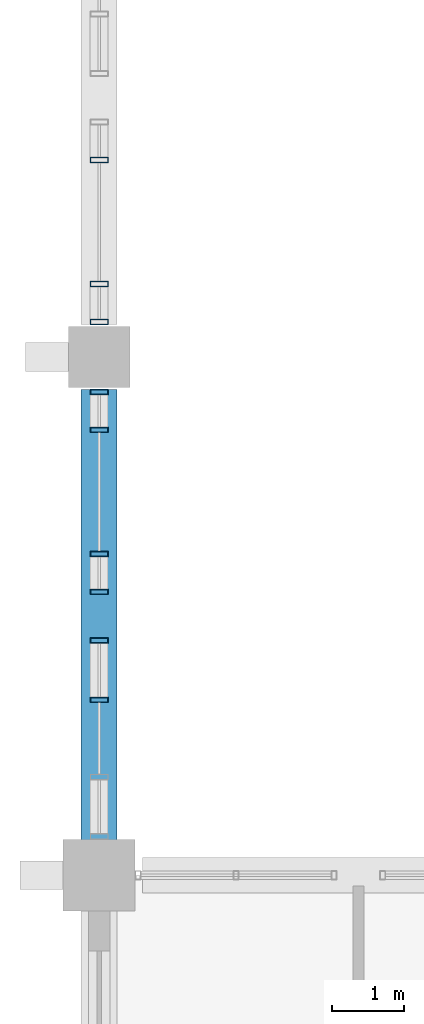
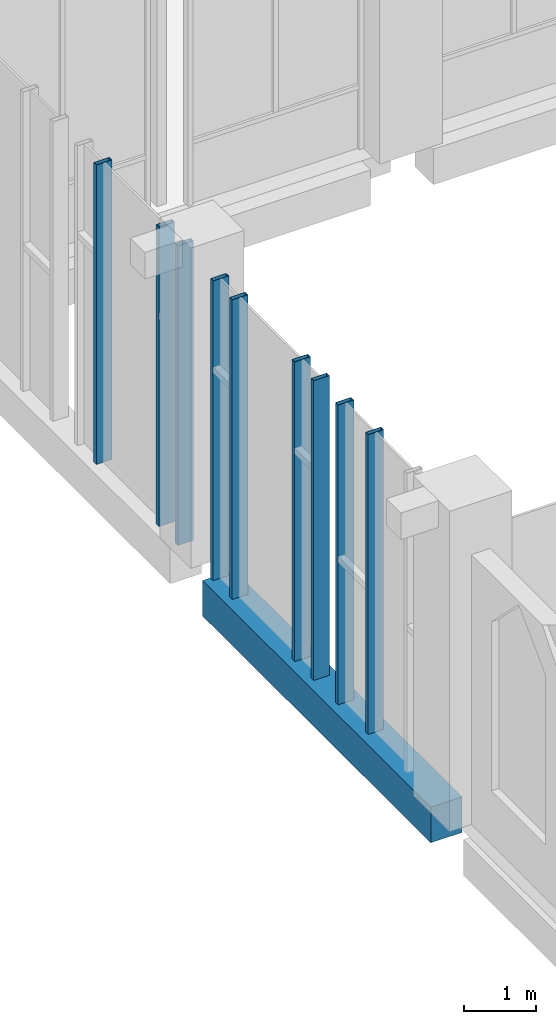
# One storey, part 4 of 48: 9 members, 1 beam, 3 elements without a shape of their own.
"""IFC4 building model written with IfcOpenShell, lengths in metres."""

from ifc_helpers import new_model, si_unit, direction, frame, origin, origin_2d, place, context, subcontext, project, spatial, rectangle, hollow_rectangle, extrude, material, material_profile, profile_set, type_object, element, aggregate, save


model = new_model("IFC4")

# Units and contexts
model_context = context("Model", 3, precision=1e-05, world=origin(), true_north=direction((0.0, 1.0)))
body_context = subcontext(model_context, "Body", "Model", "MODEL_VIEW")
ifc_project = project(units=[si_unit("LENGTHUNIT", "METRE"), si_unit("AREAUNIT", "SQUARE_METRE"), si_unit("VOLUMEUNIT", "CUBIC_METRE"), si_unit("PLANEANGLEUNIT", "RADIAN"), si_unit("MASSUNIT", "GRAM", prefix="KILO")], contexts=[model_context])

# Site, building, storey
site_placement = place(None, origin())
site = spatial("IfcSite", under=ifc_project, at=site_placement, CompositionType="ELEMENT")
building_placement = place(site_placement, origin())
building = spatial("IfcBuilding", under=site, at=building_placement, Name="Silangan Lancet Faculty of Sciences", CompositionType="ELEMENT")
storey_placement = place(building_placement, frame((0.0, 0.0, 6.0)))
storey = spatial("IfcBuildingStorey", under=building, at=storey_placement, Name="L01", CompositionType="ELEMENT", Elevation=6.0)

# Beam
ifc_material_1 = material(Name="Concrete C40/50", Category="concrete")
ifc_material_profile_1 = material_profile(ifc_material_1, rectangle(XDim=0.5, YDim=0.60009765625, at=origin_2d()), Name="RC 500x600")
ifc_profile_set_1 = profile_set([ifc_material_profile_1], Name="Concrete C40/50")
beam_type = type_object("IfcBeamType", Name="BEAM RC 500x600", PredefinedType="BEAM", material=ifc_profile_set_1)
beam_placement = place(storey_placement, frame((0.0, 22.050048828125, -0.550048828125), z_axis=(0.0, 1.0, 0.0), x_axis=(-1.0, 0.0, 0.0)))
element("IfcBeam", 1, at=beam_placement, inside=storey, type_object=beam_type, Name="BM-L01-1D-1E", PredefinedType="BEAM", context=body_context, shape_type="SweptSolid", body=[
    extrude(rectangle(XDim=0.5, YDim=0.60009765625, at=origin_2d()), origin(), (0.0, 0.0, 1.0), 6.300048828125),
])

# Curtain wall, members
ifc_material_2 = material(Name="Aluminium framed curtain wall with insulated glass", Category="aluminium")
curtain_wall_type_1 = type_object("IfcCurtainWallType", Name="CW3 West stepped lancet window", PredefinedType="NOTDEFINED", material=ifc_material_2)
curtain_wall_1_placement = place(storey_placement, origin())
curtain_wall_1 = element("IfcCurtainWall", 2, at=curtain_wall_1_placement, inside=storey, type_object=curtain_wall_type_1, Name="CW3 West window L01 bay 1", PredefinedType="NOTDEFINED")
ifc_material_3 = material(Name="Aluminium 6063-T6 extrusion", Category="aluminium")
ifc_material_profile_2 = material_profile(ifc_material_3, hollow_rectangle(XDim=0.074951171875, YDim=0.25, WallThickness=0.006103515625, at=origin_2d()), Name="AL BOX 75x250x6")
ifc_profile_set_2 = profile_set([ifc_material_profile_2], Name="Aluminium 6063-T6 extrusion")
member_type = type_object("IfcMemberType", Name="CM3 Mullion 75x250", PredefinedType="MULLION", material=ifc_profile_set_2)
member_1_placement = place(storey_placement, frame((0.0, 24.862548828125, -0.25), z_axis=(0.0, 0.0, 1.0), x_axis=(0.0, 1.0, 0.0)))
member_1 = element("IfcMember", 3, at=member_1_placement, type_object=member_type, Name="CW3 West window L01 bay 1 mullion 2", PredefinedType="MULLION", context=body_context, shape_type="SweptSolid", body=[
    extrude(hollow_rectangle(XDim=0.074951171875, YDim=0.25, WallThickness=0.006103515625, at=origin_2d()), origin(), (0.0, 0.0, 1.0), 5.050048828125),
])
member_2_placement = place(storey_placement, frame((0.0, 24.03759765625, -0.25), z_axis=(0.0, 0.0, 1.0), x_axis=(0.0, 1.0, 0.0)))
member_2 = element("IfcMember", 4, at=member_2_placement, type_object=member_type, Name="CW3 West window L01 bay 1 mullion 4", PredefinedType="MULLION", context=body_context, shape_type="SweptSolid", body=[
    extrude(hollow_rectangle(XDim=0.074951171875, YDim=0.25, WallThickness=0.006103515625, at=origin_2d()), origin(), (0.0, 0.0, 1.0), 5.050048828125),
])
aggregate(curtain_wall_1, [member_1, member_2])

ifc_material_4 = material(Name="Aluminium framed curtain wall with insulated glass", Category="aluminium")
curtain_wall_type_2 = type_object("IfcCurtainWallType", Name="CW6 West window middle bays", PredefinedType="NOTDEFINED", material=ifc_material_4)
curtain_wall_2_placement = place(storey_placement, origin())
curtain_wall_2 = element("IfcCurtainWall", 5, at=curtain_wall_2_placement, inside=storey, type_object=curtain_wall_type_2, Name="CW6 West window L01 bay 2", PredefinedType="NOTDEFINED")
member_3_placement = place(storey_placement, frame((0.0, 25.53759765625, -0.25), z_axis=(0.0, 0.0, 1.0), x_axis=(0.0, 1.0, 0.0)))
member_3 = element("IfcMember", 6, at=member_3_placement, type_object=member_type, Name="CW6 West window L01 bay 2 mullion 1", PredefinedType="MULLION", context=body_context, shape_type="SweptSolid", body=[
    extrude(hollow_rectangle(XDim=0.074951171875, YDim=0.25, WallThickness=0.006103515625, at=origin_2d()), origin(), (0.0, 0.0, 1.0), 5.050048828125),
])
member_4_placement = place(storey_placement, frame((0.0, 28.3125, -0.25), z_axis=(0.0, 0.0, 1.0), x_axis=(0.0, 1.0, 0.0)))
member_4 = element("IfcMember", 7, at=member_4_placement, type_object=member_type, Name="CW6 West window L01 bay 2 mullion 2", PredefinedType="MULLION", context=body_context, shape_type="SweptSolid", body=[
    extrude(hollow_rectangle(XDim=0.074951171875, YDim=0.25, WallThickness=0.006103515625, at=origin_2d()), origin(), (0.0, 0.0, 1.0), 5.050048828125),
])
member_5_placement = place(storey_placement, frame((0.0, 26.0625, -0.25), z_axis=(0.0, 0.0, 1.0), x_axis=(0.0, 1.0, 0.0)))
member_5 = element("IfcMember", 8, at=member_5_placement, type_object=member_type, Name="CW6 West window L01 bay 2 mullion 3", PredefinedType="MULLION", context=body_context, shape_type="SweptSolid", body=[
    extrude(hollow_rectangle(XDim=0.074951171875, YDim=0.25, WallThickness=0.006103515625, at=origin_2d()), origin(), (0.0, 0.0, 1.0), 5.050048828125),
])
member_6_placement = place(storey_placement, frame((0.0, 27.78759765625, -0.25), z_axis=(0.0, 0.0, 1.0), x_axis=(0.0, 1.0, 0.0)))
member_6 = element("IfcMember", 9, at=member_6_placement, type_object=member_type, Name="CW6 West window L01 bay 2 mullion 4", PredefinedType="MULLION", context=body_context, shape_type="SweptSolid", body=[
    extrude(hollow_rectangle(XDim=0.074951171875, YDim=0.25, WallThickness=0.006103515625, at=origin_2d()), origin(), (0.0, 0.0, 1.0), 5.050048828125),
])
aggregate(curtain_wall_2, [member_3, member_4, member_5, member_6])

curtain_wall_3_placement = place(storey_placement, origin())
curtain_wall_3 = element("IfcCurtainWall", 10, at=curtain_wall_3_placement, inside=storey, type_object=curtain_wall_type_2, Name="CW6 West window L01 bay 3", PredefinedType="NOTDEFINED")
member_7_placement = place(storey_placement, frame((0.0, 29.28759765625, -0.25), z_axis=(0.0, 0.0, 1.0), x_axis=(0.0, 1.0, 0.0)))
member_7 = element("IfcMember", 11, at=member_7_placement, type_object=member_type, Name="CW6 West window L01 bay 3 mullion 1", PredefinedType="MULLION", context=body_context, shape_type="SweptSolid", body=[
    extrude(hollow_rectangle(XDim=0.074951171875, YDim=0.25, WallThickness=0.006103515625, at=origin_2d()), origin(), (0.0, 0.0, 1.0), 5.050048828125),
])
member_8_placement = place(storey_placement, frame((0.0, 29.8125, -0.25), z_axis=(0.0, 0.0, 1.0), x_axis=(0.0, 1.0, 0.0)))
member_8 = element("IfcMember", 12, at=member_8_placement, type_object=member_type, Name="CW6 West window L01 bay 3 mullion 3", PredefinedType="MULLION", context=body_context, shape_type="SweptSolid", body=[
    extrude(hollow_rectangle(XDim=0.074951171875, YDim=0.25, WallThickness=0.006103515625, at=origin_2d()), origin(), (0.0, 0.0, 1.0), 5.050048828125),
])
member_9_placement = place(storey_placement, frame((0.0, 31.537353515625, -0.25), z_axis=(0.0, 0.0, 1.0), x_axis=(0.0, 1.0, 0.0)))
member_9 = element("IfcMember", 13, at=member_9_placement, type_object=member_type, Name="CW6 West window L01 bay 3 mullion 4", PredefinedType="MULLION", context=body_context, shape_type="SweptSolid", body=[
    extrude(hollow_rectangle(XDim=0.074951171875, YDim=0.25, WallThickness=0.006103515625, at=origin_2d()), origin(), (0.0, 0.0, 1.0), 5.050048828125),
])
aggregate(curtain_wall_3, [member_7, member_8, member_9])

save(model, "model.ifc")
